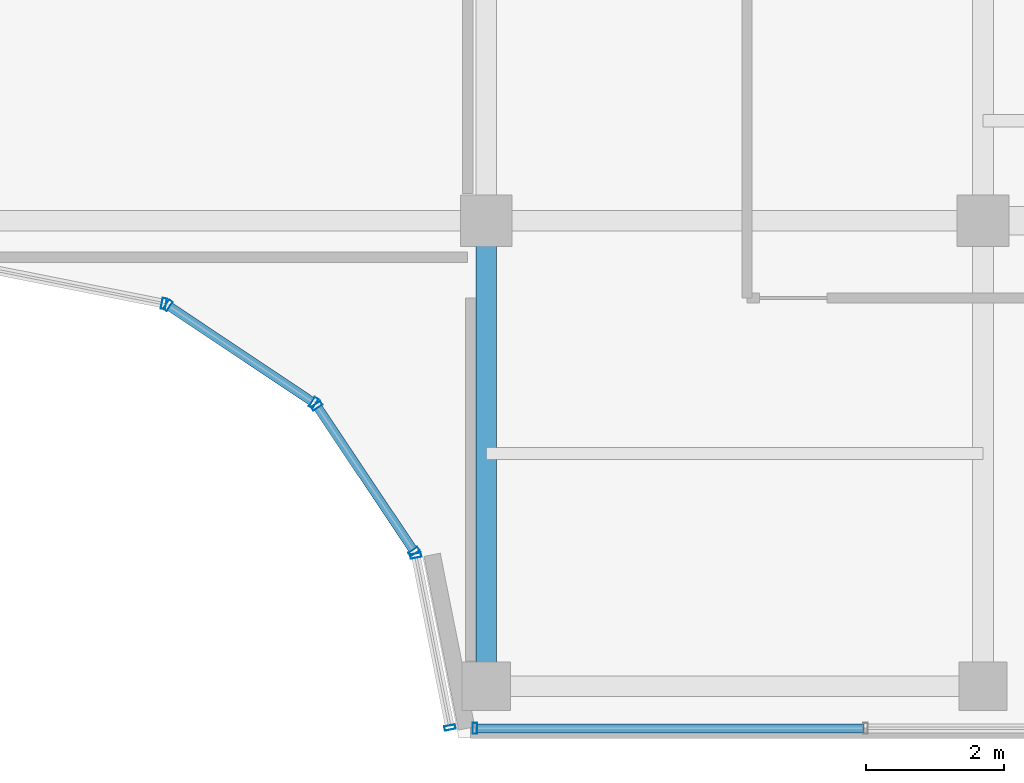
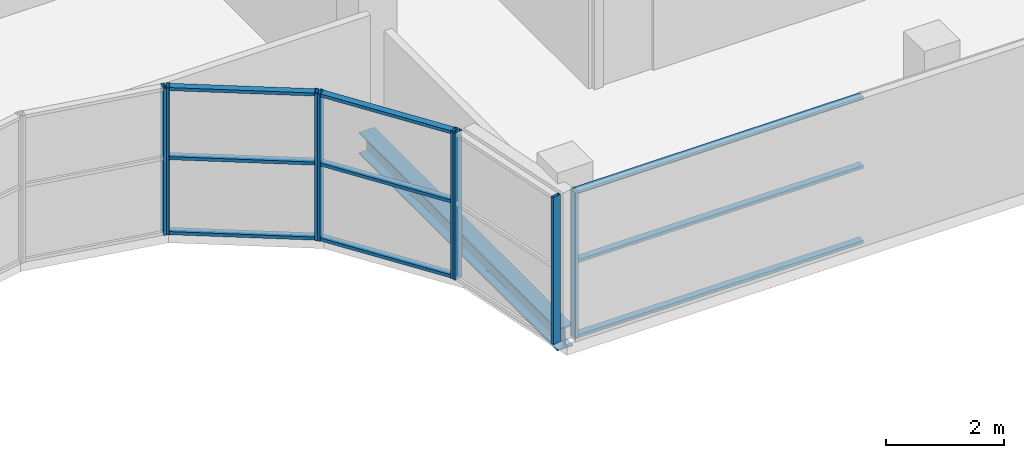
# One storey, part 7 of 29: 17 members, 1 beam, 5 elements without a shape of their own.
"""IFC4 building model written with IfcOpenShell, lengths in metres."""

from ifc_helpers import new_model, si_unit, direction, frame, origin, origin_2d, place, context, subcontext, project, spatial, hollow_rectangle, i_section, extrude, source, transform, mapped, material, layer, layer_set, material_profile, profile_set, type_object, element, aggregate, save


model = new_model("IFC4")

# Units and contexts
model_context = context("Model", 3, precision=1e-05, world=origin(), true_north=direction((0.0, 1.0)))
body_context = subcontext(model_context, "Body", "Model", "MODEL_VIEW")
ifc_project = project(units=[si_unit("LENGTHUNIT", "METRE"), si_unit("AREAUNIT", "SQUARE_METRE"), si_unit("VOLUMEUNIT", "CUBIC_METRE"), si_unit("PLANEANGLEUNIT", "RADIAN"), si_unit("MASSUNIT", "GRAM", prefix="KILO")], contexts=[model_context])

# Site, building, storey
site_placement = place(None, origin())
site = spatial("IfcSite", under=ifc_project, at=site_placement, CompositionType="ELEMENT")
building_placement = place(site_placement, origin())
building = spatial("IfcBuilding", under=site, at=building_placement, Name="Zarnakvel Exchange Tower", CompositionType="ELEMENT")
storey_placement = place(building_placement, frame((0.0, 0.0, 258.39990234375)))
storey = spatial("IfcBuildingStorey", under=building, at=storey_placement, Name="L73", CompositionType="ELEMENT", Elevation=258.39990234375)

# Beam
ifc_material_1 = material(Name="Steel S355", Category="steel")
ifc_material_profile_1 = material_profile(ifc_material_1, i_section(OverallWidth=0.300048828125, OverallDepth=0.449951171875, WebThickness=0.013916015625, FlangeThickness=0.02587890625, FilletRadius=0.027099609375, at=origin_2d()))
ifc_profile_set_1 = profile_set([ifc_material_profile_1], Name="Steel S355")
beam_type = type_object("IfcBeamType", Name="G-07", PredefinedType="BEAM", material=ifc_profile_set_1)
beam_placement = place(storey_placement, frame((7.199951171875, -16.35009765625, -0.449951171875), z_axis=(0.0, 1.0, 0.0), x_axis=(-1.0, 0.0, 0.0)))
element("IfcBeam", 1, at=beam_placement, inside=storey, type_object=beam_type, Name="L73 Tower N-S Frame Beam", PredefinedType="BEAM", context=body_context, shape_type="SweptSolid", body=[
    extrude(i_section(OverallWidth=0.300048828125, OverallDepth=0.449951171875, WebThickness=0.013916015625, FlangeThickness=0.02587890625, FilletRadius=0.027099609375, at=origin_2d()), origin(), (0.0, 0.0, 1.0), 6.75),
])

# Curtain wall, member
ifc_material_2 = material(Name="Architectural Bronze Anodised Aluminium", Category="aluminium")
ifc_layer = layer(ifc_material_2, 0.159912109375)
ifc_layer_set = layer_set([ifc_layer], Name="Architectural Bronze Anodised Aluminium")
curtain_wall_type = type_object("IfcCurtainWallType", Name="CW-06", PredefinedType="NOTDEFINED", material=ifc_layer_set)
curtain_wall_1_placement = place(storey_placement, origin())
curtain_wall_1 = element("IfcCurtainWall", 2, at=curtain_wall_1_placement, inside=storey, type_object=curtain_wall_type, Name="L73 Curtain Wall CW-L73-NC5 (CW-06)", PredefinedType="NOTDEFINED")
ifc_material_profile_2 = material_profile(ifc_material_2, hollow_rectangle(XDim=0.159912109375, YDim=0.06494140625, WallThickness=0.00390625, at=origin_2d()))
ifc_profile_set_2 = profile_set([ifc_material_profile_2], Name="Architectural Bronze Anodised Aluminium")
member_type_1 = type_object("IfcMemberType", Name="CWM-06", PredefinedType="MULLION", material=ifc_profile_set_2)
shared_shape_1 = source(origin(), body_context, "Body", "SweptSolid", [
    extrude(hollow_rectangle(XDim=0.159912109375, YDim=0.06494140625, WallThickness=0.00390625, at=origin_2d()), origin(), (0.0, 0.0, 1.0), 3.05517578125),
])
member_1_placement = place(storey_placement, frame((2.5244140625, -10.80224609375, 0.0), z_axis=(0.0, 0.0, 1.0), x_axis=(0.195090448398, 0.980785255264, 0.0)))
member_1 = element("IfcMember", 3, at=member_1_placement, type_object=member_type_1, Name="CW-06 mullion 2", PredefinedType="MULLION", context=body_context, shape_type="MappedRepresentation", body=[
    mapped(shared_shape_1, transform((0.0, 0.0, 0.0), x_axis=(1.0, 0.0, 0.0), y_axis=(0.0, 1.0, 0.0), z_axis=(0.0, 0.0, 1.0), scale=1.0)),
])
aggregate(curtain_wall_1, [member_1])

# Curtain wall, members
curtain_wall_2_placement = place(storey_placement, origin())
curtain_wall_2 = element("IfcCurtainWall", 4, at=curtain_wall_2_placement, inside=storey, type_object=curtain_wall_type, Name="L73 Curtain Wall CW-L73-NC6 (CW-06)", PredefinedType="NOTDEFINED")
member_2_placement = place(storey_placement, frame((2.583251953125, -10.82666015625, 0.0), z_axis=(0.0, 0.0, 1.0), x_axis=(0.555570233339, 0.831469612089, 0.0)))
member_2 = element("IfcMember", 5, at=member_2_placement, type_object=member_type_1, Name="CW-06 mullion 1", PredefinedType="MULLION", context=body_context, shape_type="MappedRepresentation", body=[
    mapped(shared_shape_1, transform((0.0, 0.0, 0.0), x_axis=(1.0, 0.0, 0.0), y_axis=(0.0, 1.0, 0.0), z_axis=(0.0, 0.0, 1.0), scale=1.0)),
])
member_3_placement = place(storey_placement, frame((4.696533203125, -12.238525390625, 0.0), z_axis=(0.0, 0.0, 1.0), x_axis=(0.555570233339, 0.831469612089, 0.0)))
member_3 = element("IfcMember", 6, at=member_3_placement, type_object=member_type_1, Name="CW-06 mullion 2", PredefinedType="MULLION", context=body_context, shape_type="MappedRepresentation", body=[
    mapped(shared_shape_1, transform((0.0, 0.0, 0.0), x_axis=(1.0, 0.0, 0.0), y_axis=(0.0, 1.0, 0.0), z_axis=(0.0, 0.0, 1.0), scale=1.0)),
])

curtain_wall_3_placement = place(storey_placement, origin())
curtain_wall_3 = element("IfcCurtainWall", 7, at=curtain_wall_3_placement, inside=storey, type_object=curtain_wall_type, Name="L73 Curtain Wall CW-L73-NC7 (CW-06)", PredefinedType="NOTDEFINED")
member_4_placement = place(storey_placement, frame((4.741455078125, -12.283447265625, 0.0), z_axis=(0.0, 0.0, 1.0), x_axis=(0.831469612089, 0.555570233339, 0.0)))
member_4 = element("IfcMember", 8, at=member_4_placement, type_object=member_type_1, Name="CW-06 mullion 1", PredefinedType="MULLION", context=body_context, shape_type="MappedRepresentation", body=[
    mapped(shared_shape_1, transform((0.0, 0.0, 0.0), x_axis=(1.0, 0.0, 0.0), y_axis=(0.0, 1.0, 0.0), z_axis=(0.0, 0.0, 1.0), scale=1.0)),
])
member_5_placement = place(storey_placement, frame((6.153564453125, -14.396728515625, 0.0), z_axis=(0.0, 0.0, 1.0), x_axis=(0.831469612089, 0.555570233339, 0.0)))
member_5 = element("IfcMember", 9, at=member_5_placement, type_object=member_type_1, Name="CW-06 mullion 2", PredefinedType="MULLION", context=body_context, shape_type="MappedRepresentation", body=[
    mapped(shared_shape_1, transform((0.0, 0.0, 0.0), x_axis=(1.0, 0.0, 0.0), y_axis=(0.0, 1.0, 0.0), z_axis=(0.0, 0.0, 1.0), scale=1.0)),
])

curtain_wall_4_placement = place(storey_placement, origin())
curtain_wall_4 = element("IfcCurtainWall", 10, at=curtain_wall_4_placement, inside=storey, type_object=curtain_wall_type, Name="L73 Curtain Wall CW-L73-NC8 (CW-06)", PredefinedType="NOTDEFINED")
member_6_placement = place(storey_placement, frame((6.177734375, -14.45556640625, 0.0), z_axis=(0.0, 0.0, 1.0), x_axis=(0.980785255264, 0.195090448398, 0.0)))
member_6 = element("IfcMember", 11, at=member_6_placement, type_object=member_type_1, Name="CW-06 mullion 1", PredefinedType="MULLION", context=body_context, shape_type="MappedRepresentation", body=[
    mapped(shared_shape_1, transform((0.0, 0.0, 0.0), x_axis=(1.0, 0.0, 0.0), y_axis=(0.0, 1.0, 0.0), z_axis=(0.0, 0.0, 1.0), scale=1.0)),
])
member_7_placement = place(storey_placement, frame((6.673583984375, -16.9482421875, 0.0), z_axis=(0.0, 0.0, 1.0), x_axis=(0.980785255264, 0.195090448398, 0.0)))
member_7 = element("IfcMember", 12, at=member_7_placement, type_object=member_type_1, Name="CW-06 mullion 2", PredefinedType="MULLION", context=body_context, shape_type="MappedRepresentation", body=[
    mapped(shared_shape_1, transform((0.0, 0.0, 0.0), x_axis=(1.0, 0.0, 0.0), y_axis=(0.0, 1.0, 0.0), z_axis=(0.0, 0.0, 1.0), scale=1.0)),
])
aggregate(curtain_wall_4, [member_6, member_7])

# Curtain wall, member
curtain_wall_5_placement = place(storey_placement, origin())
curtain_wall_5 = element("IfcCurtainWall", 13, at=curtain_wall_5_placement, inside=storey, type_object=curtain_wall_type, Name="L73 Curtain Wall CW-L73-NSE (CW-06)", PredefinedType="NOTDEFINED")
member_8_placement = place(storey_placement, frame((7.032470703125, -16.9599609375, 0.0), z_axis=(0.0, 0.0, 1.0), x_axis=(0.0, 1.0, 0.0)))
member_8 = element("IfcMember", 14, at=member_8_placement, type_object=member_type_1, Name="CW-06 mullion 1", PredefinedType="MULLION", context=body_context, shape_type="MappedRepresentation", body=[
    mapped(shared_shape_1, transform((0.0, 0.0, 0.0), x_axis=(1.0, 0.0, 0.0), y_axis=(0.0, 1.0, 0.0), z_axis=(0.0, 0.0, 1.0), scale=1.0)),
])

# Member
ifc_material_profile_3 = material_profile(ifc_material_2, hollow_rectangle(XDim=0.1298828125, YDim=0.06494140625, WallThickness=0.00390625, at=origin_2d()))
ifc_profile_set_3 = profile_set([ifc_material_profile_3], Name="Architectural Bronze Anodised Aluminium")
member_type_2 = type_object("IfcMemberType", Name="CWT-06", PredefinedType="USERDEFINED", material=ifc_profile_set_3)
shared_shape_2 = source(origin(), body_context, "Body", "SweptSolid", [
    extrude(hollow_rectangle(XDim=0.1298828125, YDim=0.06494140625, WallThickness=0.00390625, at=origin_2d()), origin(), (0.0, 0.0, 1.0), 2.4765625),
])
member_9_placement = place(storey_placement, frame((2.6103515625, -10.844482421875, 0.03271484375), z_axis=(0.831443136401, -0.555609854963, 0.0), x_axis=(0.555609854963, 0.831443136401, 0.0)))
member_9 = element("IfcMember", 15, at=member_9_placement, type_object=member_type_2, Name="CW-06 transom 1.1", ObjectType="TRANSOM", PredefinedType="USERDEFINED", context=body_context, shape_type="MappedRepresentation", body=[
    mapped(shared_shape_2, transform((0.0, 0.0, 0.0), x_axis=(1.0, 0.0, 0.0), y_axis=(0.0, 1.0, 0.0), z_axis=(0.0, 0.0, 1.0), scale=1.0)),
])

member_10_placement = place(storey_placement, frame((2.6103515625, -10.844482421875, 1.588623046875), z_axis=(0.831443136401, -0.555609854963, 0.0), x_axis=(0.555609854963, 0.831443136401, 0.0)))
member_10 = element("IfcMember", 16, at=member_10_placement, type_object=member_type_2, Name="CW-06 transom 1.2", ObjectType="TRANSOM", PredefinedType="USERDEFINED", context=body_context, shape_type="MappedRepresentation", body=[
    mapped(shared_shape_2, transform((0.0, 0.0, 0.0), x_axis=(1.0, 0.0, 0.0), y_axis=(0.0, 1.0, 0.0), z_axis=(0.0, 0.0, 1.0), scale=1.0)),
])

member_11_placement = place(storey_placement, frame((2.6103515625, -10.844482421875, 3.022705078125), z_axis=(0.831443136401, -0.555609854963, 0.0), x_axis=(0.555609854963, 0.831443136401, 0.0)))
member_11 = element("IfcMember", 17, at=member_11_placement, type_object=member_type_2, Name="CW-06 transom 1.3", ObjectType="TRANSOM", PredefinedType="USERDEFINED", context=body_context, shape_type="MappedRepresentation", body=[
    mapped(shared_shape_2, transform((0.0, 0.0, 0.0), x_axis=(1.0, 0.0, 0.0), y_axis=(0.0, 1.0, 0.0), z_axis=(0.0, 0.0, 1.0), scale=1.0)),
])

aggregate(curtain_wall_2, [member_2, member_3, member_9, member_10, member_11])

member_12_placement = place(storey_placement, frame((4.759521484375, -12.310546875, 0.03271484375), z_axis=(0.555609854963, -0.831443136401, 0.0), x_axis=(0.831443136401, 0.555609854963, 0.0)))
member_12 = element("IfcMember", 18, at=member_12_placement, type_object=member_type_2, Name="CW-06 transom 1.1", ObjectType="TRANSOM", PredefinedType="USERDEFINED", context=body_context, shape_type="MappedRepresentation", body=[
    mapped(shared_shape_2, transform((0.0, 0.0, 0.0), x_axis=(1.0, 0.0, 0.0), y_axis=(0.0, 1.0, 0.0), z_axis=(0.0, 0.0, 1.0), scale=1.0)),
])

member_13_placement = place(storey_placement, frame((4.759521484375, -12.310546875, 1.588623046875), z_axis=(0.555609854963, -0.831443136401, 0.0), x_axis=(0.831443136401, 0.555609854963, 0.0)))
member_13 = element("IfcMember", 19, at=member_13_placement, type_object=member_type_2, Name="CW-06 transom 1.2", ObjectType="TRANSOM", PredefinedType="USERDEFINED", context=body_context, shape_type="MappedRepresentation", body=[
    mapped(shared_shape_2, transform((0.0, 0.0, 0.0), x_axis=(1.0, 0.0, 0.0), y_axis=(0.0, 1.0, 0.0), z_axis=(0.0, 0.0, 1.0), scale=1.0)),
])

member_14_placement = place(storey_placement, frame((4.759521484375, -12.310546875, 3.022705078125), z_axis=(0.555609854963, -0.831443136401, 0.0), x_axis=(0.831443136401, 0.555609854963, 0.0)))
member_14 = element("IfcMember", 20, at=member_14_placement, type_object=member_type_2, Name="CW-06 transom 1.3", ObjectType="TRANSOM", PredefinedType="USERDEFINED", context=body_context, shape_type="MappedRepresentation", body=[
    mapped(shared_shape_2, transform((0.0, 0.0, 0.0), x_axis=(1.0, 0.0, 0.0), y_axis=(0.0, 1.0, 0.0), z_axis=(0.0, 0.0, 1.0), scale=1.0)),
])

aggregate(curtain_wall_3, [member_4, member_5, member_12, member_13, member_14])

shared_shape_3 = source(origin(), body_context, "Body", "SweptSolid", [
    extrude(hollow_rectangle(XDim=0.1298828125, YDim=0.06494140625, WallThickness=0.00390625, at=origin_2d()), origin(), (0.0, 0.0, 1.0), 5.6025390625),
])
member_15_placement = place(storey_placement, frame((7.06494140625, -16.9599609375, 0.03271484375), z_axis=(1.0, 0.0, 0.0), x_axis=(0.0, 1.0, 0.0)))
member_15 = element("IfcMember", 21, at=member_15_placement, type_object=member_type_2, Name="CW-06 transom 1.1", ObjectType="TRANSOM", PredefinedType="USERDEFINED", context=body_context, shape_type="MappedRepresentation", body=[
    mapped(shared_shape_3, transform((0.0, 0.0, 0.0), x_axis=(1.0, 0.0, 0.0), y_axis=(0.0, 1.0, 0.0), z_axis=(0.0, 0.0, 1.0), scale=1.0)),
])

member_16_placement = place(storey_placement, frame((7.06494140625, -16.9599609375, 1.588623046875), z_axis=(1.0, 0.0, 0.0), x_axis=(0.0, 1.0, 0.0)))
member_16 = element("IfcMember", 22, at=member_16_placement, type_object=member_type_2, Name="CW-06 transom 1.2", ObjectType="TRANSOM", PredefinedType="USERDEFINED", context=body_context, shape_type="MappedRepresentation", body=[
    mapped(shared_shape_3, transform((0.0, 0.0, 0.0), x_axis=(1.0, 0.0, 0.0), y_axis=(0.0, 1.0, 0.0), z_axis=(0.0, 0.0, 1.0), scale=1.0)),
])

member_17_placement = place(storey_placement, frame((7.06494140625, -16.9599609375, 3.022705078125), z_axis=(1.0, 0.0, 0.0), x_axis=(0.0, 1.0, 0.0)))
member_17 = element("IfcMember", 23, at=member_17_placement, type_object=member_type_2, Name="CW-06 transom 1.3", ObjectType="TRANSOM", PredefinedType="USERDEFINED", context=body_context, shape_type="MappedRepresentation", body=[
    mapped(shared_shape_3, transform((0.0, 0.0, 0.0), x_axis=(1.0, 0.0, 0.0), y_axis=(0.0, 1.0, 0.0), z_axis=(0.0, 0.0, 1.0), scale=1.0)),
])

aggregate(curtain_wall_5, [member_8, member_15, member_16, member_17])

save(model, "model.ifc")
